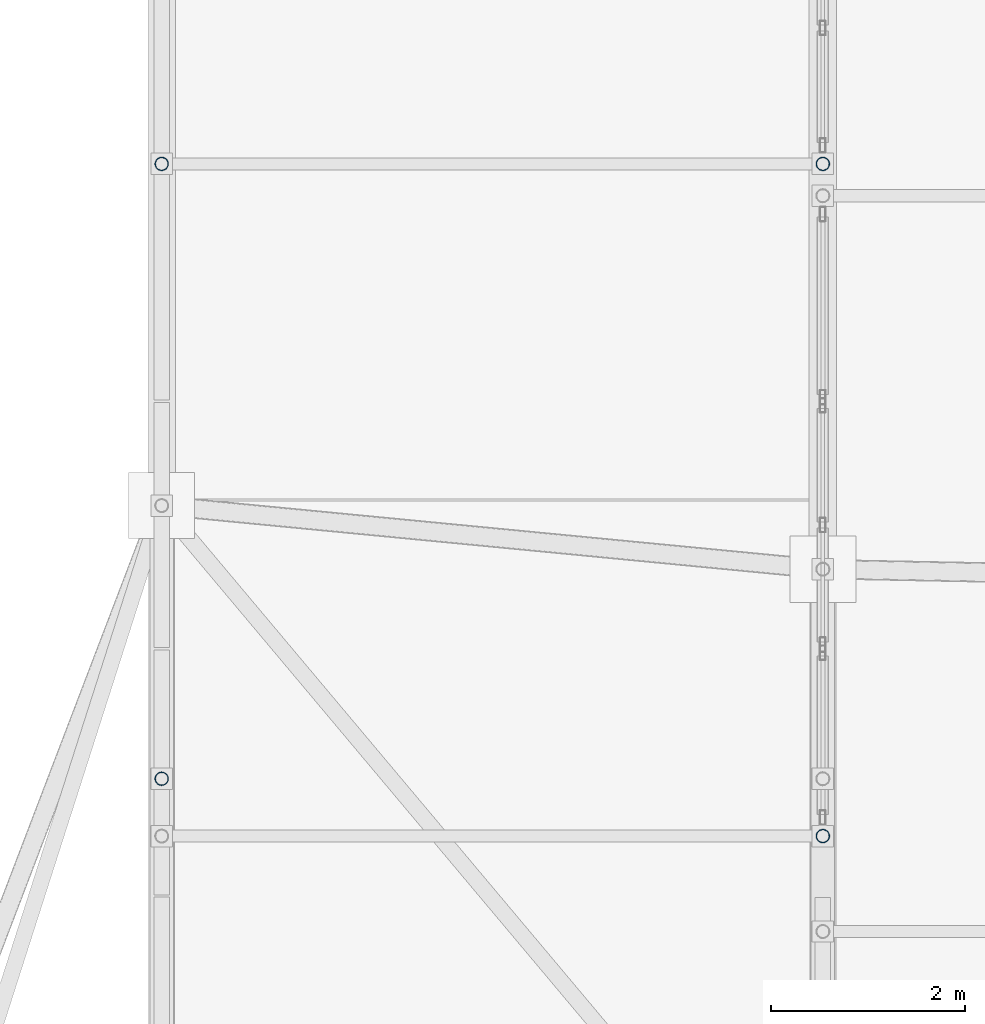
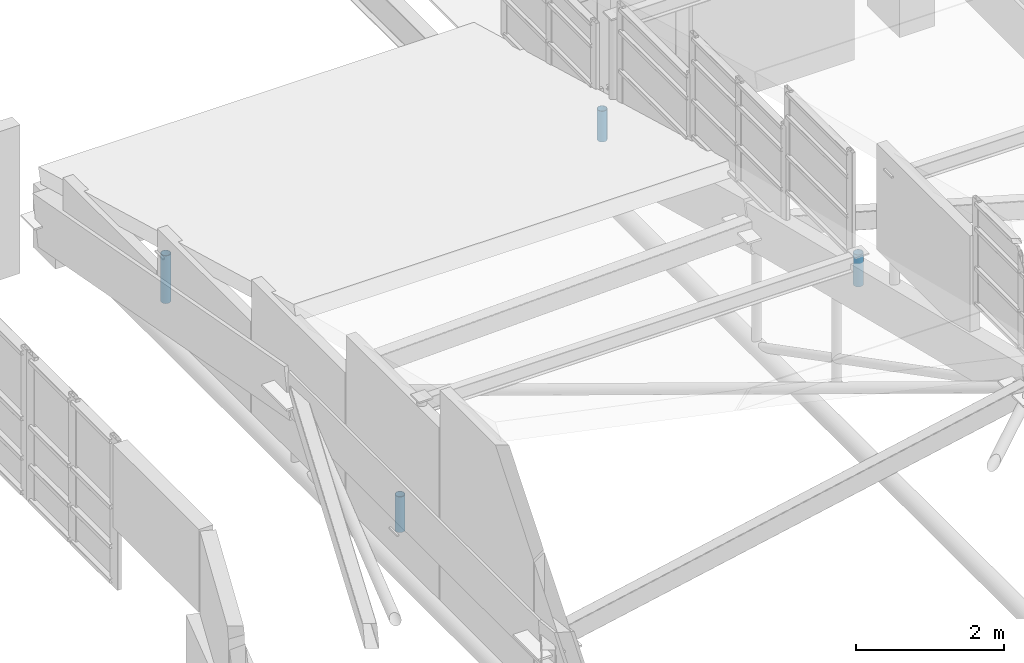
# One storey, part 137 of 188: 4 members.
"""IFC4 building model written with IfcOpenShell, lengths in metres."""

from ifc_helpers import new_model, si_unit, direction, frame, origin, origin_2d, place, context, subcontext, project, spatial, hollow_circle, extrude, material, material_profile, profile_set, type_object, element, save


model = new_model("IFC4")

# Units and contexts
model_context = context("Model", 3, precision=1e-05, world=origin(), true_north=direction((0.0, 1.0)))
body_context = subcontext(model_context, "Body", "Model", "MODEL_VIEW")
ifc_project = project(units=[si_unit("LENGTHUNIT", "METRE"), si_unit("AREAUNIT", "SQUARE_METRE"), si_unit("VOLUMEUNIT", "CUBIC_METRE"), si_unit("PLANEANGLEUNIT", "RADIAN"), si_unit("MASSUNIT", "GRAM", prefix="KILO")], contexts=[model_context])

# Site, building, storey
site_placement = place(None, origin())
site = spatial("IfcSite", under=ifc_project, at=site_placement, CompositionType="ELEMENT")
building_placement = place(site_placement, origin())
building = spatial("IfcBuilding", under=site, at=building_placement, Name="Kisaragi Civic Commons", CompositionType="ELEMENT")
storey_placement = place(building_placement, frame((0.0, 0.0, 9.60009765625)))
storey = spatial("IfcBuildingStorey", under=building, at=storey_placement, Name="L02", CompositionType="ELEMENT", Elevation=9.60009765625)

# Members
ifc_material = material(Name="Steel SN490 (SN490B)", Category="steel")
ifc_material_profile = material_profile(ifc_material, hollow_circle(Radius=0.06982421875, WallThickness=0.006103515625, at=origin_2d()), Name="CHS-139.8x6.0", Category="steel")
ifc_profile_set = profile_set([ifc_material_profile], Name="Steel SN490 (SN490B)")
member_type = type_object("IfcMemberType", Name="ST-H1", PredefinedType="STRUT", material=ifc_profile_set)
member_1_placement = place(storey_placement, frame((6.800048828125, 52.800048828125, -0.02001953125), z_axis=(0.0, 0.0, 1.0), x_axis=(1.0, 0.0, 0.0)))
element("IfcMember", 1, at=member_1_placement, inside=storey, type_object=member_type, Name="V1 interior column arch support post (6.8,52.8)", PredefinedType="STRUT", context=body_context, shape_type="SweptSolid", body=[
    extrude(hollow_circle(Radius=0.06982421875, WallThickness=0.006103515625, at=origin_2d()), origin(), (0.0, 0.0, 1.0), 0.58740234375),
])
member_2_placement = place(storey_placement, frame((13.60009765625, 52.21044921875, 2.00341796875), z_axis=(0.0, 0.0, 1.0), x_axis=(1.0, 0.0, 0.0)))
element("IfcMember", 2, at=member_2_placement, inside=storey, type_object=member_type, Name="V1 clerestory monitor horizontal tie strut 2.2.7", PredefinedType="STRUT", context=body_context, shape_type="SweptSolid", body=[
    extrude(hollow_circle(Radius=0.06982421875, WallThickness=0.006103515625, at=origin_2d()), origin(), (0.0, 0.0, 1.0), 0.525634765625),
])
member_3_placement = place(storey_placement, frame((6.800048828125, 59.12353515625, -0.083984375), z_axis=(0.0, 0.0, 1.0), x_axis=(1.0, 0.0, 0.0)))
element("IfcMember", 3, at=member_3_placement, inside=storey, type_object=member_type, Name="V1 clerestory monitor horizontal tie strut 2.1.8", PredefinedType="STRUT", context=body_context, shape_type="SweptSolid", body=[
    extrude(hollow_circle(Radius=0.06982421875, WallThickness=0.006103515625, at=origin_2d()), origin(), (0.0, 0.0, 1.0), 0.7890625),
])
member_4_placement = place(storey_placement, frame((13.60009765625, 59.12353515625, 0.19775390625), z_axis=(0.0, 0.0, 1.0), x_axis=(1.0, 0.0, 0.0)))
element("IfcMember", 4, at=member_4_placement, inside=storey, type_object=member_type, Name="V1 clerestory monitor horizontal tie strut 2.2.8", PredefinedType="STRUT", context=body_context, shape_type="SweptSolid", body=[
    extrude(hollow_circle(Radius=0.06982421875, WallThickness=0.006103515625, at=origin_2d()), origin(), (0.0, 0.0, 1.0), 0.50732421875),
])

save(model, "model.ifc")
